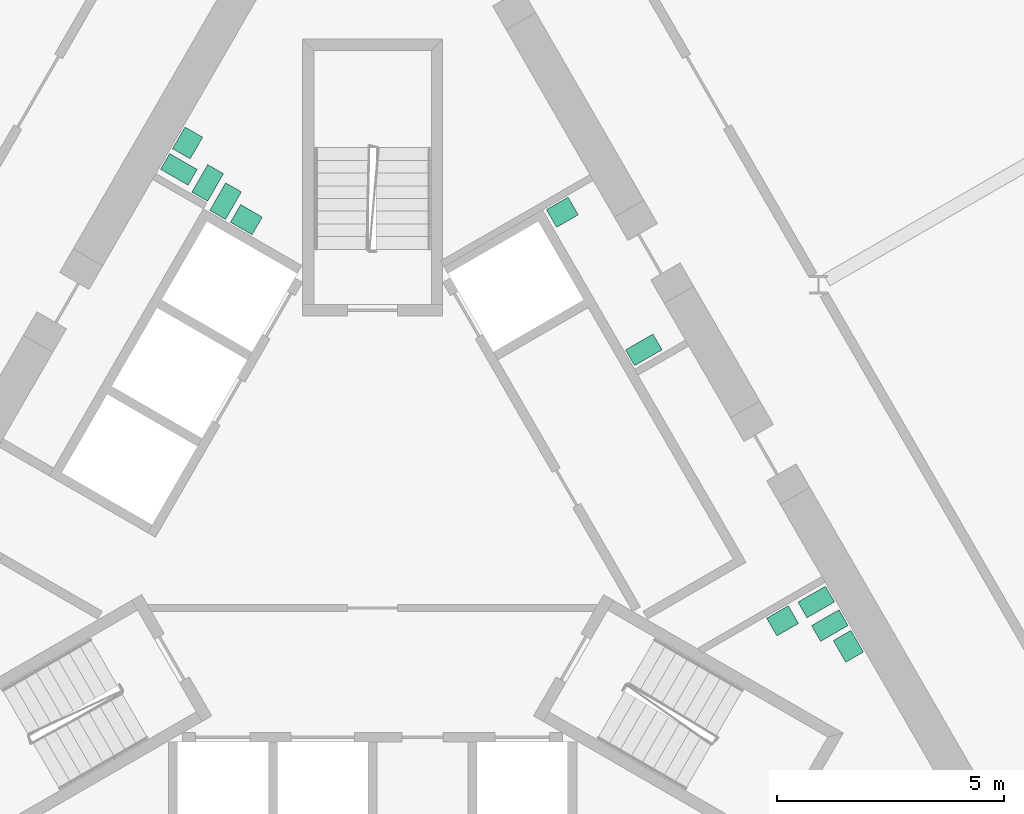
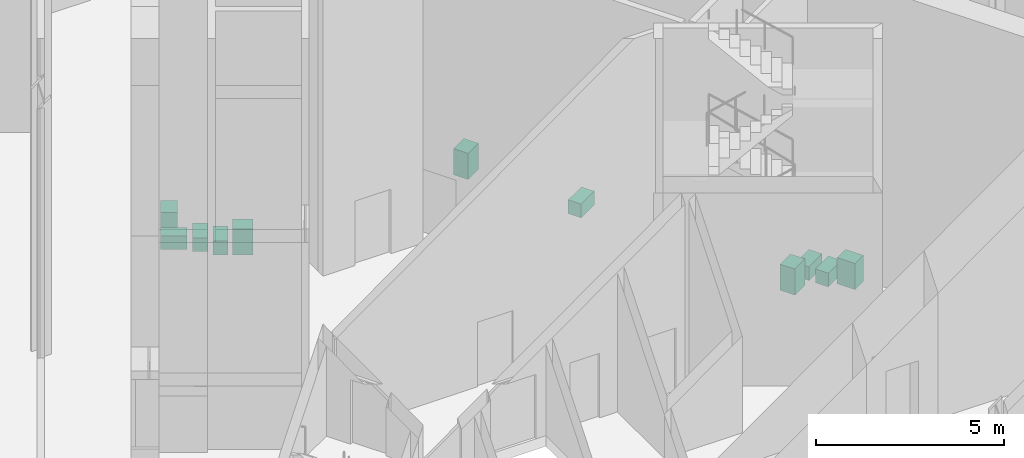
# One storey, part 17 of 18: 11 sanitary terminals.
"""IFC4 building model written with IfcOpenShell, lengths in metres."""

from ifc_helpers import new_model, si_unit, direction, frame, origin, origin_2d, place, context, subcontext, project, spatial, rectangle, extrude, material, type_object, element, save


model = new_model("IFC4")

# Units and contexts
model_context = context("Model", 3, precision=1e-05, world=origin(), true_north=direction((0.0, 1.0)))
body_context = subcontext(model_context, "Body", "Model", "MODEL_VIEW")
ifc_project = project(units=[si_unit("LENGTHUNIT", "METRE"), si_unit("AREAUNIT", "SQUARE_METRE"), si_unit("VOLUMEUNIT", "CUBIC_METRE"), si_unit("PLANEANGLEUNIT", "RADIAN"), si_unit("MASSUNIT", "GRAM", prefix="KILO")], contexts=[model_context])

# Site, building, storey
site_placement = place(None, origin())
site = spatial("IfcSite", under=ifc_project, at=site_placement, CompositionType="ELEMENT")
building_placement = place(site_placement, origin())
building = spatial("IfcBuilding", under=site, at=building_placement, Name="Cormorant Prow Tower", CompositionType="ELEMENT")
storey_placement = place(building_placement, frame((0.0, 0.0, 216.0)))
storey = spatial("IfcBuildingStorey", under=building, at=storey_placement, Name="L48", CompositionType="ELEMENT", Elevation=216.0)

# Sanitary terminals
ifc_material_1 = material(Name="Vitreous china")
sanitary_terminal_type_1 = type_object("IfcSanitaryTerminalType", Name="Wash basin 550x450", PredefinedType="WASHHANDBASIN", material=ifc_material_1)
for number, where, z_axis, x_axis, name in (
    (1, (-4.080078125, 8.80078125, 0.0), (0.0, 0.0, 1.0), (-0.5, -0.866025403784, 0.0), "Wash basin"),
    (2, (-2.7841796875, 7.109619140625, 0.0), (0.0, 0.0, 1.0), (0.866034130299, -0.499984884929, 0.0), "Wash basin"),
    (3, (9.036865234375, -1.734375, 0.0), (0.0, 0.0, 1.0), (-0.866025403784, -0.5, 0.0), "Wash basin"),
    (4, (10.48681640625, -2.2958984375, 0.0), (0.0, 0.0, 1.0), (-0.5, 0.866025403784, 0.0), "Wash basin"),
    (5, (4.18212890625, 7.27392578125, 0.0), (0.0, 0.0, 1.0), (-0.866042856549, -0.499969769706, 0.0), "Wash basin"),
):
    element("IfcSanitaryTerminal", number, at=place(storey_placement, frame(where, z_axis=z_axis, x_axis=x_axis)), inside=storey, type_object=sanitary_terminal_type_1, Name=name, PredefinedType="WASHHANDBASIN", context=body_context, shape_type="SweptSolid", body=[
        extrude(rectangle(XDim=0.550048828125, YDim=0.449951171875, at=origin_2d()), origin(), (0.0, 0.0, 1.0), 0.85009765625),
    ])
ifc_material_2 = material(Name="Vitreous china")
sanitary_terminal_type_2 = type_object("IfcSanitaryTerminalType", Name="Water closet 400x700", PredefinedType="WCSEAT", material=ifc_material_2)
for number, where, z_axis, x_axis, name in (
    (6, (-4.27197265625, 8.21875, 0.0), (0.0, 0.0, 1.0), (-0.5, -0.866025403784, 0.0), "Water closet"),
    (7, (-3.636474609375, 7.919189453125, 0.0), (0.0, 0.0, 1.0), (0.866007949964, -0.500030229685, 0.0), "Water closet"),
    (8, (-3.241455078125, 7.517822265625, 0.0), (0.0, 0.0, 1.0), (0.866034130299, -0.499984884929, 0.0), "Water closet"),
    (9, (9.778564453125, -1.319091796875, 0.0), (0.0, 0.0, 1.0), (-0.5, 0.866025403784, 0.0), "Water closet"),
    (10, (10.07861328125, -1.838623046875, 0.0), (0.0, 0.0, 1.0), (-0.5, 0.866025403784, 0.0), "Water closet"),
    (11, (5.976806640625, 4.23974609375, 0.0), (0.0, 0.0, 1.0), (0.499984884929, -0.866034130299, 0.0), "Water closet"),
):
    element("IfcSanitaryTerminal", number, at=place(storey_placement, frame(where, z_axis=z_axis, x_axis=x_axis)), inside=storey, type_object=sanitary_terminal_type_2, Name=name, PredefinedType="WCSEAT", context=body_context, shape_type="SweptSolid", body=[
        extrude(rectangle(XDim=0.39990234375, YDim=0.699951171875, at=origin_2d()), origin(), (0.0, 0.0, 1.0), 0.449951171875),
    ])

save(model, "model.ifc")
